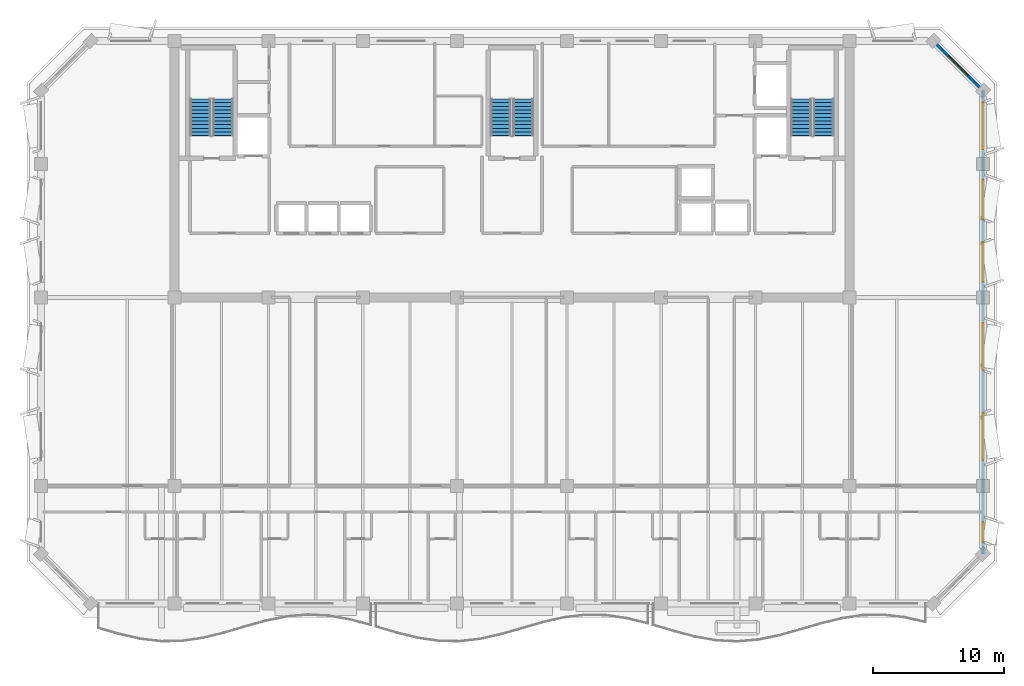
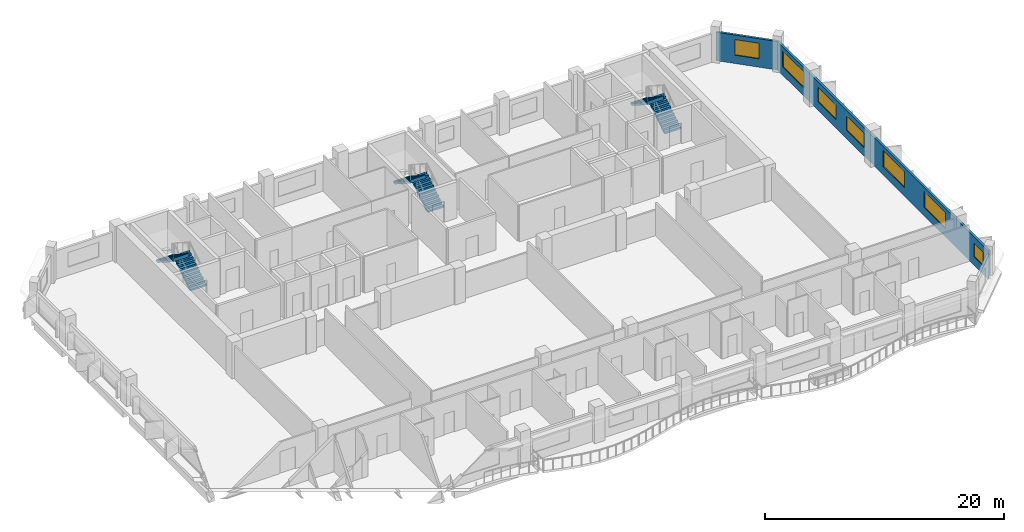
# One storey, part 8 of 11: 7 windows, 6 stair flights, 2 walls, 7 openings, 3 elements without a shape of their own.
"""IFC4 building model written with IfcOpenShell, lengths in metres."""

import ifcopenshell
import ifcopenshell.guid

model = None  # the IFC model being written
_history = None  # IfcOwnerHistory: only IFC2X3 demands one
_inside = {}  # id of a spatial element -> (the spatial element, [elements in it])
_under = {}  # id of a project, library or spatial element -> (it, [spatial elements below it])
_declared = {}  # id of a project -> (the project, [libraries it declares])
_typed = {}  # id of a type object -> (the type object, [elements of that type])
_made_of = {}  # id of a material, layer set ... -> (it, [elements and type objects made of it])


def new_model(schema):
    """Start an empty IFC model of exactly this schema.

    Asked for "IFC4X3", IfcOpenShell would pick the latest addendum, in which some entities
    have other attributes; the version numbers below select the first issue.
    IFC2X3 requires an IfcOwnerHistory on every rooted entity: one is made here for all.
    """
    global model, _history
    if schema == "IFC4X3":
        model = ifcopenshell.file(schema_version=(4, 3, 0, 0))
    else:
        model = ifcopenshell.file(schema=schema)
    _inside.clear()
    _under.clear()
    _declared.clear()
    _typed.clear()
    _made_of.clear()
    _history = None
    if model.schema == "IFC2X3":
        org = make("IfcOrganization", Name="unknown")
        user = make(
            "IfcPersonAndOrganization",
            ThePerson=make("IfcPerson", FamilyName="unknown"),
            TheOrganization=org,
        )
        app = make(
            "IfcApplication",
            ApplicationDeveloper=org,
            Version="unknown",
            ApplicationFullName="unknown",
            ApplicationIdentifier="unknown",
        )
        _history = make(
            "IfcOwnerHistory",
            OwningUser=user,
            OwningApplication=app,
            ChangeAction="ADDED",
            CreationDate=0,
        )
    return model


def make(cls, **values):
    """One entity of the class cls with the attributes given. An attribute that is None is left unset."""
    return model.create_entity(
        cls, **{name: value for name, value in values.items() if value is not None}
    )


def rooted(cls, **values):
    """An entity with a GlobalId (a new one), such as an element, a storey or a relation."""
    return make(cls, GlobalId=ifcopenshell.guid.new(), OwnerHistory=_history, **values)


def si_unit(unit_type, name, prefix=None):
    """IfcSIUnit, for example si_unit("LENGTHUNIT", "METRE", prefix="MILLI")."""
    return make("IfcSIUnit", UnitType=unit_type, Prefix=prefix, Name=name)


def assignment(units):
    """IfcUnitAssignment: the units of a project."""
    return None if units is None else make("IfcUnitAssignment", Units=units)


def point(xyz):
    """IfcCartesianPoint."""
    return None if xyz is None else make("IfcCartesianPoint", Coordinates=xyz)


def direction(xyz):
    """IfcDirection."""
    return None if xyz is None else make("IfcDirection", DirectionRatios=xyz)


def frame(location, z_axis=None, x_axis=None):
    """IfcAxis2Placement3D, a coordinate frame: its origin and axes. An axis left out is left unset."""
    return make(
        "IfcAxis2Placement3D",
        Location=point(location),
        Axis=direction(z_axis),
        RefDirection=direction(x_axis),
    )


def frame_2d(location, x_axis=None):
    """IfcAxis2Placement2D, a coordinate frame in the plane: its origin and x axis."""
    return make(
        "IfcAxis2Placement2D", Location=point(location), RefDirection=direction(x_axis)
    )


def origin():
    """The frame at (0, 0, 0) with its axes left unset."""
    return frame((0.0, 0.0, 0.0))


def place(relative_to, where):
    """IfcLocalPlacement: puts the frame where relative to a parent placement (None: the world)."""
    return make(
        "IfcLocalPlacement", PlacementRelTo=relative_to, RelativePlacement=where
    )


def context(
    kind, dimensions, precision=None, world=None, true_north=None, identifier=None
):
    """IfcGeometricRepresentationContext, for example the 3D "Model" context."""
    return make(
        "IfcGeometricRepresentationContext",
        ContextIdentifier=identifier,
        ContextType=kind,
        CoordinateSpaceDimension=dimensions,
        Precision=precision,
        WorldCoordinateSystem=world,
        TrueNorth=true_north,
    )


def subcontext(parent, identifier, kind, view, scale=None):
    """IfcGeometricRepresentationSubContext, for example "Body" below "Model"."""
    return make(
        "IfcGeometricRepresentationSubContext",
        ContextIdentifier=identifier,
        ContextType=kind,
        ParentContext=parent,
        TargetScale=scale,
        TargetView=view,
    )


def project(units=None, contexts=None):
    """IfcProject with its units and contexts."""
    return rooted(
        "IfcProject",
        Name="project",
        RepresentationContexts=contexts,
        UnitsInContext=assignment(units),
    )


def spatial(cls, under=None, at=None, **own):
    """A site, building, storey or space (cls), placed at a placement, below another one or the project."""
    s = rooted(cls, ObjectPlacement=at, **own)
    if under is not None:
        _under.setdefault(under.id(), (under, []))[1].append(s)
    return s


def polyline(points):
    """IfcPolyline through the points."""
    return make("IfcPolyline", Points=[point(p) for p in points])


def profile(cls, at=None, kind="AREA", **sizes):
    """A parametric profile (cls). Its sizes go by their IFC names, for example OverallWidth=200.0."""
    return make(cls, ProfileType=kind, Position=at, **sizes)


def rectangle(**sizes):
    """IfcRectangleProfileDef."""
    return profile("IfcRectangleProfileDef", **sizes)


def outline(outer, holes=None, kind="AREA"):
    """IfcArbitraryClosedProfileDef: a profile drawn as a closed curve; with holes, ...WithVoids."""
    if holes is None:
        return make("IfcArbitraryClosedProfileDef", ProfileType=kind, OuterCurve=outer)
    return make(
        "IfcArbitraryProfileDefWithVoids",
        ProfileType=kind,
        OuterCurve=outer,
        InnerCurves=holes,
    )


def extrude(swept, where, along, depth):
    """IfcExtrudedAreaSolid: the profile swept, set in the frame where, extruded along a direction by depth."""
    return make(
        "IfcExtrudedAreaSolid",
        SweptArea=swept,
        Position=where,
        ExtrudedDirection=direction(along),
        Depth=depth,
    )


def shape(context_of_items, identifier, shape_type, items):
    """IfcShapeRepresentation: the items that make up one representation, for example the "Body"."""
    return make(
        "IfcShapeRepresentation",
        ContextOfItems=context_of_items,
        RepresentationIdentifier=identifier,
        RepresentationType=shape_type,
        Items=items,
    )


def material(Name=None, Category=None):
    """IfcMaterial."""
    return make("IfcMaterial", Name=Name, Category=Category)


def layer(
    of_material, thickness, ventilated=None, Name=None, Category=None, Priority=None
):
    """IfcMaterialLayer: one layer of a wall or slab, of a material (None: an air gap)."""
    return make(
        "IfcMaterialLayer",
        Material=of_material,
        LayerThickness=thickness,
        IsVentilated=ventilated,
        Name=Name,
        Category=Category,
        Priority=Priority,
    )


def layer_set(layers, Name=None):
    """IfcMaterialLayerSet."""
    return make("IfcMaterialLayerSet", MaterialLayers=layers, LayerSetName=Name)


def made_of(thing, what):
    """Note that an element or type object is made of a material, layer set ...; save() writes the relation."""
    if what is not None:
        _made_of.setdefault(what.id(), (what, []))[1].append(thing)
    return thing


def type_object(cls, material=None, **own):
    """A type object (cls), such as IfcWallType, which elements share."""
    return made_of(rooted(cls, **own), material)


def element(
    cls,
    number,
    at=None,
    inside=None,
    cuts=None,
    type_object=None,
    material=None,
    context=None,
    identifier="Body",
    shape_type=None,
    held_by="IfcProductDefinitionShape",
    body=None,
    shapes=None,
    **own,
):
    """One element of the class cls, such as IfcWall. Its Tag is "e" and its number.

    at: its placement. inside: the storey or other place that contains it. cuts: it is an
    opening in that element (IfcRelVoidsElement). A single representation is given by context,
    identifier, shape_type and body (its items); several are given by shapes. held_by: the class
    of the entity that holds the representations. save() writes the other relations.
    """
    e = rooted(cls, Tag="e%d" % number, ObjectPlacement=at, **own)
    if body is not None:
        shapes = [shape(context, identifier, shape_type, body)]
    if shapes is not None:
        e.Representation = make(held_by, Representations=shapes)
    if inside is not None:
        _inside.setdefault(inside.id(), (inside, []))[1].append(e)
    if cuts is not None:
        rooted(
            "IfcRelVoidsElement", RelatingBuildingElement=cuts, RelatedOpeningElement=e
        )
    if type_object is not None:
        _typed.setdefault(type_object.id(), (type_object, []))[1].append(e)
    return made_of(e, material)


def fill(opening, filler):
    """IfcRelFillsElement: the door or window that sits in an opening."""
    return rooted(
        "IfcRelFillsElement",
        RelatingOpeningElement=opening,
        RelatedBuildingElement=filler,
    )


def aggregate(whole, parts):
    """IfcRelAggregates: a whole, such as a stair, and the parts it consists of."""
    return rooted("IfcRelAggregates", RelatingObject=whole, RelatedObjects=parts)


def save(model, path):
    """Write the relations noted so far, then the file.

    IfcRelAggregates (storeys below a building ...), IfcRelContainedInSpatialStructure (elements
    in a storey), IfcRelDefinesByType, IfcRelAssociatesMaterial and IfcRelDeclares: one each for
    every whole, place, type object, material and project.
    """
    for whole, parts in _under.values():
        aggregate(whole, parts)
    for where, things in _inside.values():
        rooted(
            "IfcRelContainedInSpatialStructure",
            RelatedElements=things,
            RelatingStructure=where,
        )
    for kind, things in _typed.values():
        rooted("IfcRelDefinesByType", RelatedObjects=things, RelatingType=kind)
    for what, things in _made_of.values():
        rooted("IfcRelAssociatesMaterial", RelatedObjects=things, RelatingMaterial=what)
    for by, libraries in _declared.values():
        rooted("IfcRelDeclares", RelatingContext=by, RelatedDefinitions=libraries)
    model.write(path)


model = new_model("IFC4")

# Units and contexts
model_context = context("Model", 3, precision=1e-05, world=origin(), true_north=direction((0.0, 1.0)))
body_context = subcontext(model_context, "Body", "Model", "MODEL_VIEW")
ifc_project = project(units=[si_unit("LENGTHUNIT", "METRE"), si_unit("AREAUNIT", "SQUARE_METRE"), si_unit("VOLUMEUNIT", "CUBIC_METRE"), si_unit("PLANEANGLEUNIT", "RADIAN"), si_unit("MASSUNIT", "GRAM", prefix="KILO")], contexts=[model_context])

# Site, building, storey
site_placement = place(None, origin())
site = spatial("IfcSite", under=ifc_project, at=site_placement, CompositionType="ELEMENT")
building_placement = place(site_placement, origin())
building = spatial("IfcBuilding", under=site, at=building_placement, Name="Kaelvorn Grand Hotel", CompositionType="ELEMENT")
storey_placement = place(building_placement, frame((0.0, 0.0, 233.10009765625)))
storey = spatial("IfcBuildingStorey", under=building, at=storey_placement, Name="L57", CompositionType="ELEMENT", Elevation=233.10009765625)

# Wall, openings, windows
ifc_material_1 = material(Name="Concrete C40/50", Category="concrete")
ifc_layer = layer(ifc_material_1, 0.219970703125)
ifc_layer_set = layer_set([ifc_layer], Name="Concrete C40/50")
wall_type = type_object("IfcWallType", Name="WL-EXT-220-C40", PredefinedType="SOLIDWALL", material=ifc_layer_set)
wall_1_placement = place(storey_placement, frame((78.0, 9.800048828125, 0.0), z_axis=(0.0, 0.0, 1.0), x_axis=(0.0, 1.0, 0.0)))
wall_1 = element("IfcWall", 1, at=wall_1_placement, inside=storey, type_object=wall_type, Name="L57 Exterior Architectural Concrete Wall 03", PredefinedType="SOLIDWALL", context=body_context, shape_type="SweptSolid", body=[
    extrude(rectangle(XDim=35.39990234375, YDim=0.219970703125, at=frame_2d((17.699951171875, 0.0))), origin(), (0.0, 0.0, 1.0), 2.909912109375),
])
opening_1_placement = place(wall_1_placement, frame((0.93505859375, 0.0, 0.85009765625)))
opening_1 = element("IfcOpeningElement", 2, at=opening_1_placement, cuts=wall_1, Name="Opening W10", PredefinedType="OPENING", context=body_context, shape_type="SweptSolid", body=[
    extrude(rectangle(XDim=1.5, YDim=1.39990234375, at=frame_2d((0.75, 0.699951171875))), frame((0.0, 0.1201171875, 0.0), z_axis=(0.0, -1.0, 0.0), x_axis=(1.0, 0.0, 0.0)), (0.0, 0.0, 1.0), 0.239990234375),
])
opening_2_placement = place(wall_1_placement, frame((7.1650390625, 0.0, 0.85009765625)))
opening_2 = element("IfcOpeningElement", 3, at=opening_2_placement, cuts=wall_1, Name="Opening W3", PredefinedType="OPENING", context=body_context, shape_type="SweptSolid", body=[
    extrude(rectangle(XDim=3.60009765625, YDim=1.64990234375, at=frame_2d((1.800048828125, 0.824951171875))), frame((0.0, 0.1201171875, 0.0), z_axis=(0.0, -1.0, 0.0), x_axis=(1.0, 0.0, 0.0)), (0.0, 0.0, 1.0), 0.239990234375),
])
opening_3_placement = place(wall_1_placement, frame((14.034912109375, 0.0, 0.85009765625)))
opening_3 = element("IfcOpeningElement", 4, at=opening_3_placement, cuts=wall_1, Name="Opening W3", PredefinedType="OPENING", context=body_context, shape_type="SweptSolid", body=[
    extrude(rectangle(XDim=3.60009765625, YDim=1.64990234375, at=frame_2d((1.800048828125, 0.824951171875))), frame((0.0, 0.1201171875, 0.0), z_axis=(0.0, -1.0, 0.0), x_axis=(1.0, 0.0, 0.0)), (0.0, 0.0, 1.0), 0.239990234375),
])
opening_4_placement = place(wall_1_placement, frame((20.81494140625, 0.0, 0.85009765625)))
opening_4 = element("IfcOpeningElement", 5, at=opening_4_placement, cuts=wall_1, Name="Opening W5", PredefinedType="OPENING", context=body_context, shape_type="SweptSolid", body=[
    extrude(rectangle(XDim=3.0, YDim=1.5, at=frame_2d((1.5, 0.75))), frame((0.0, 0.1201171875, 0.0), z_axis=(0.0, -1.0, 0.0), x_axis=(1.0, 0.0, 0.0)), (0.0, 0.0, 1.0), 0.239990234375),
])
opening_5_placement = place(wall_1_placement, frame((25.5849609375, 0.0, 0.85009765625)))
opening_5 = element("IfcOpeningElement", 6, at=opening_5_placement, cuts=wall_1, Name="Opening W5", PredefinedType="OPENING", context=body_context, shape_type="SweptSolid", body=[
    extrude(rectangle(XDim=3.0, YDim=1.5, at=frame_2d((1.5, 0.75))), frame((0.0, 0.1201171875, 0.0), z_axis=(0.0, -1.0, 0.0), x_axis=(1.0, 0.0, 0.0)), (0.0, 0.0, 1.0), 0.239990234375),
])
opening_6_placement = place(wall_1_placement, frame((30.9150390625, 0.0, 0.85009765625)))
opening_6 = element("IfcOpeningElement", 7, at=opening_6_placement, cuts=wall_1, Name="Opening W3", PredefinedType="OPENING", context=body_context, shape_type="SweptSolid", body=[
    extrude(rectangle(XDim=3.60009765625, YDim=1.64990234375, at=frame_2d((1.800048828125, 0.824951171875))), frame((0.0, 0.1201171875, 0.0), z_axis=(0.0, -1.0, 0.0), x_axis=(1.0, 0.0, 0.0)), (0.0, 0.0, 1.0), 0.239990234375),
])
ifc_material_2 = material(Name="Laminated Low-E Glass", Category="glass")
window_type_1 = type_object("IfcWindowType", Name="WIN-COR-1500x1400", PartitioningType="SINGLE_PANEL", PredefinedType="WINDOW", material=ifc_material_2)
window_1_placement = place(opening_1_placement, origin())
window_1 = element("IfcWindow", 8, at=window_1_placement, inside=storey, type_object=window_type_1, Name="L57 E Wing Tilted-Frame Ribbon Window E01", OverallHeight=1.39990234375, OverallWidth=1.5, PartitioningType="SINGLE_PANEL", PredefinedType="WINDOW", context=body_context, shape_type="SweptSolid", body=[
    extrude(rectangle(XDim=1.5, YDim=1.39990234375, at=frame_2d((0.75, 0.699951171875))), frame((0.0, 0.030029296875, 0.0), z_axis=(0.0, -1.0, 0.0), x_axis=(1.0, 0.0, 0.0)), (0.0, 0.0, 1.0), 0.06005859375),
])
fill(opening_1, window_1)
window_type_2 = type_object("IfcWindowType", Name="WIN-NTH-3000x1500", PartitioningType="SINGLE_PANEL", PredefinedType="WINDOW", material=ifc_material_2)
window_2_placement = place(opening_4_placement, origin())
window_2 = element("IfcWindow", 9, at=window_2_placement, inside=storey, type_object=window_type_2, Name="L57 E Wing Tilted-Frame Ribbon Window E04", OverallHeight=1.5, OverallWidth=3.0, PartitioningType="SINGLE_PANEL", PredefinedType="WINDOW", context=body_context, shape_type="SweptSolid", body=[
    extrude(rectangle(XDim=3.0, YDim=1.5, at=frame_2d((1.5, 0.75))), frame((0.0, 0.030029296875, 0.0), z_axis=(0.0, -1.0, 0.0), x_axis=(1.0, 0.0, 0.0)), (0.0, 0.0, 1.0), 0.06005859375),
])
fill(opening_4, window_2)
window_3_placement = place(opening_5_placement, origin())
window_3 = element("IfcWindow", 10, at=window_3_placement, inside=storey, type_object=window_type_2, Name="L57 E Wing Tilted-Frame Ribbon Window E05", OverallHeight=1.5, OverallWidth=3.0, PartitioningType="SINGLE_PANEL", PredefinedType="WINDOW", context=body_context, shape_type="SweptSolid", body=[
    extrude(rectangle(XDim=3.0, YDim=1.5, at=frame_2d((1.5, 0.75))), frame((0.0, 0.030029296875, 0.0), z_axis=(0.0, -1.0, 0.0), x_axis=(1.0, 0.0, 0.0)), (0.0, 0.0, 1.0), 0.06005859375),
])
fill(opening_5, window_3)
window_type_3 = type_object("IfcWindowType", Name="WIN-RIB-3600x1750", PartitioningType="SINGLE_PANEL", PredefinedType="WINDOW", material=ifc_material_2)
window_4_placement = place(opening_2_placement, origin())
window_4 = element("IfcWindow", 11, at=window_4_placement, inside=storey, type_object=window_type_3, Name="L57 E Wing Tilted-Frame Ribbon Window E02", OverallHeight=1.64990234375, OverallWidth=3.60009765625, PartitioningType="SINGLE_PANEL", PredefinedType="WINDOW", context=body_context, shape_type="SweptSolid", body=[
    extrude(rectangle(XDim=3.60009765625, YDim=1.64990234375, at=frame_2d((1.800048828125, 0.824951171875))), frame((0.0, 0.030029296875, 0.0), z_axis=(0.0, -1.0, 0.0), x_axis=(1.0, 0.0, 0.0)), (0.0, 0.0, 1.0), 0.06005859375),
])
fill(opening_2, window_4)
window_5_placement = place(opening_3_placement, origin())
window_5 = element("IfcWindow", 12, at=window_5_placement, inside=storey, type_object=window_type_3, Name="L57 E Wing Tilted-Frame Ribbon Window E03", OverallHeight=1.64990234375, OverallWidth=3.60009765625, PartitioningType="SINGLE_PANEL", PredefinedType="WINDOW", context=body_context, shape_type="SweptSolid", body=[
    extrude(rectangle(XDim=3.60009765625, YDim=1.64990234375, at=frame_2d((1.800048828125, 0.824951171875))), frame((0.0, 0.030029296875, 0.0), z_axis=(0.0, -1.0, 0.0), x_axis=(1.0, 0.0, 0.0)), (0.0, 0.0, 1.0), 0.06005859375),
])
fill(opening_3, window_5)
window_6_placement = place(opening_6_placement, origin())
window_6 = element("IfcWindow", 13, at=window_6_placement, inside=storey, type_object=window_type_3, Name="L57 E Wing Tilted-Frame Ribbon Window E06", OverallHeight=1.64990234375, OverallWidth=3.60009765625, PartitioningType="SINGLE_PANEL", PredefinedType="WINDOW", context=body_context, shape_type="SweptSolid", body=[
    extrude(rectangle(XDim=3.60009765625, YDim=1.64990234375, at=frame_2d((1.800048828125, 0.824951171875))), frame((0.0, 0.030029296875, 0.0), z_axis=(0.0, -1.0, 0.0), x_axis=(1.0, 0.0, 0.0)), (0.0, 0.0, 1.0), 0.06005859375),
])
fill(opening_6, window_6)

# Wall, opening, window
wall_2_placement = place(storey_placement, frame((78.0, 45.199951171875, 0.0), z_axis=(0.0, 0.0, 1.0), x_axis=(-0.707106781187, 0.707106781187, 0.0)))
wall_2 = element("IfcWall", 14, at=wall_2_placement, inside=storey, type_object=wall_type, Name="L57 Exterior Architectural Concrete Wall 04", PredefinedType="SOLIDWALL", context=body_context, shape_type="SweptSolid", body=[
    extrude(rectangle(XDim=5.3740234375, YDim=0.219970703125, at=frame_2d((2.68701171875, 0.0))), origin(), (0.0, 0.0, 1.0), 2.909912109375),
])
opening_7_placement = place(wall_2_placement, frame((1.636962890625, 0.0, 0.85009765625)))
opening_7 = element("IfcOpeningElement", 15, at=opening_7_placement, cuts=wall_2, Name="Opening W7", PredefinedType="OPENING", context=body_context, shape_type="SweptSolid", body=[
    extrude(rectangle(XDim=2.10009765625, YDim=1.60009765625, at=frame_2d((1.050048828125, 0.800048828125))), frame((0.0, 0.1201171875, 0.0), z_axis=(0.0, -1.0, 0.0), x_axis=(1.0, 0.0, 0.0)), (0.0, 0.0, 1.0), 0.239990234375),
])
window_type_4 = type_object("IfcWindowType", Name="WIN-CHM-2100x1600", PartitioningType="SINGLE_PANEL", PredefinedType="WINDOW", material=ifc_material_2)
window_7_placement = place(opening_7_placement, origin())
window_7 = element("IfcWindow", 16, at=window_7_placement, inside=storey, type_object=window_type_4, Name="L57 Chamfered 45-Degree Corner Window NE", OverallHeight=1.60009765625, OverallWidth=2.10009765625, PartitioningType="SINGLE_PANEL", PredefinedType="WINDOW", context=body_context, shape_type="SweptSolid", body=[
    extrude(rectangle(XDim=2.10009765625, YDim=1.60009765625, at=frame_2d((1.050048828125, 0.800048828125))), frame((0.0, 0.030029296875, 0.0), z_axis=(0.0, -1.0, 0.0), x_axis=(1.0, 0.0, 0.0)), (0.0, 0.0, 1.0), 0.06005859375),
])
fill(opening_7, window_7)

# Stair, stair flights
stair_type = type_object("IfcStairType", Name="STR-DOG-1560-R09", PredefinedType="HALF_TURN_STAIR", material=ifc_material_1)
stair_1_placement = place(storey_placement, origin())
stair_1 = element("IfcStair", 17, at=stair_1_placement, inside=storey, type_object=stair_type, Name="L57 West Core Exit Stair ST1", PredefinedType="HALF_TURN_STAIR")
stair_flight_type = type_object("IfcStairFlightType", Name="FLG-DOG-1560-R09", PredefinedType="STRAIGHT", material=ifc_material_1)
stair_flight_1_placement = place(storey_placement, frame((19.89990234375, 41.760009765625, 0.0), z_axis=(0.0, 0.0, 1.0), x_axis=(0.0, 1.0, 0.0)))
stair_flight_1 = element("IfcStairFlight", 18, at=stair_flight_1_placement, type_object=stair_flight_type, Name="ST1 flight 1", NumberOfRisers=11, NumberOfTreads=10, PredefinedType="STRAIGHT", RiserHeight=0.179545455, TreadLength=0.28, context=body_context, shape_type="SweptSolid", body=[
    extrude(outline(polyline([(-0.0048828125, 0.0), (-0.0048828125, 0.0400390625), (0.0, 0.179443359375), (0.280029296875, 0.179443359375), (0.280029296875, 0.359130859375), (0.56005859375, 0.359130859375), (0.56005859375, 0.53857421875), (0.840087890625, 0.53857421875), (0.840087890625, 0.71826171875), (1.1201171875, 0.71826171875), (1.1201171875, 0.897705078125), (1.39990234375, 0.897705078125), (1.39990234375, 1.077392578125), (1.679931640625, 1.077392578125), (1.679931640625, 1.2568359375), (1.9599609375, 1.2568359375), (1.9599609375, 1.436279296875), (2.239990234375, 1.436279296875), (2.239990234375, 1.615966796875), (2.52001953125, 1.615966796875), (2.52001953125, 1.79541015625), (2.800048828125, 1.79541015625), (2.800048828125, 1.97509765625), (2.804931640625, 1.97509765625), (2.804931640625, 1.617431640625), (0.277587890625, 0.0), (-0.0048828125, 0.0)])), frame((0.0, 0.780029296875, 0.0), z_axis=(0.0, -1.0, 0.0), x_axis=(1.0, 0.0, 0.0)), (0.0, 0.0, 1.0), 1.56005859375),
])
stair_flight_2_placement = place(storey_placement, frame((18.179931640625, 44.56005859375, 1.974853515625), z_axis=(0.0, 0.0, 1.0), x_axis=(0.0, -1.0, 0.0)))
stair_flight_2 = element("IfcStairFlight", 19, at=stair_flight_2_placement, type_object=stair_flight_type, Name="ST1 flight 2", NumberOfRisers=11, NumberOfTreads=10, PredefinedType="STRAIGHT", RiserHeight=0.179545455, TreadLength=0.28, context=body_context, shape_type="SweptSolid", body=[
    extrude(outline(polyline([(-0.0048828125, 0.0), (-0.0048828125, 0.0400390625), (0.0, 0.179443359375), (0.280029296875, 0.179443359375), (0.280029296875, 0.359130859375), (0.56005859375, 0.359130859375), (0.56005859375, 0.53857421875), (0.840087890625, 0.53857421875), (0.840087890625, 0.71826171875), (1.1201171875, 0.71826171875), (1.1201171875, 0.897705078125), (1.39990234375, 0.897705078125), (1.39990234375, 1.077392578125), (1.679931640625, 1.077392578125), (1.679931640625, 1.2568359375), (1.9599609375, 1.2568359375), (1.9599609375, 1.436279296875), (2.239990234375, 1.436279296875), (2.239990234375, 1.615966796875), (2.52001953125, 1.615966796875), (2.52001953125, 1.79541015625), (2.800048828125, 1.79541015625), (2.800048828125, 1.97509765625), (2.804931640625, 1.97509765625), (2.804931640625, 1.617431640625), (0.277587890625, 0.0), (-0.0048828125, 0.0)])), frame((0.0, 0.780029296875, 0.0), z_axis=(0.0, -1.0, 0.0), x_axis=(1.0, 0.0, 0.0)), (0.0, 0.0, 1.0), 1.56005859375),
])
aggregate(stair_1, [stair_flight_1, stair_flight_2])

stair_2_placement = place(storey_placement, origin())
stair_2 = element("IfcStair", 20, at=stair_2_placement, inside=storey, type_object=stair_type, Name="L57 Central Core Exit Stair ST2", PredefinedType="HALF_TURN_STAIR")
stair_flight_3_placement = place(storey_placement, frame((42.860107421875, 41.760009765625, 0.0), z_axis=(0.0, 0.0, 1.0), x_axis=(0.0, 1.0, 0.0)))
stair_flight_3 = element("IfcStairFlight", 21, at=stair_flight_3_placement, type_object=stair_flight_type, Name="ST2 flight 1", NumberOfRisers=11, NumberOfTreads=10, PredefinedType="STRAIGHT", RiserHeight=0.179545455, TreadLength=0.28, context=body_context, shape_type="SweptSolid", body=[
    extrude(outline(polyline([(-0.0048828125, 0.0), (-0.0048828125, 0.0400390625), (0.0, 0.179443359375), (0.280029296875, 0.179443359375), (0.280029296875, 0.359130859375), (0.56005859375, 0.359130859375), (0.56005859375, 0.53857421875), (0.840087890625, 0.53857421875), (0.840087890625, 0.71826171875), (1.1201171875, 0.71826171875), (1.1201171875, 0.897705078125), (1.39990234375, 0.897705078125), (1.39990234375, 1.077392578125), (1.679931640625, 1.077392578125), (1.679931640625, 1.2568359375), (1.9599609375, 1.2568359375), (1.9599609375, 1.436279296875), (2.239990234375, 1.436279296875), (2.239990234375, 1.615966796875), (2.52001953125, 1.615966796875), (2.52001953125, 1.79541015625), (2.800048828125, 1.79541015625), (2.800048828125, 1.97509765625), (2.804931640625, 1.97509765625), (2.804931640625, 1.617431640625), (0.277587890625, 0.0), (-0.0048828125, 0.0)])), frame((0.0, 0.780029296875, 0.0), z_axis=(0.0, -1.0, 0.0), x_axis=(1.0, 0.0, 0.0)), (0.0, 0.0, 1.0), 1.56005859375),
])
stair_flight_4_placement = place(storey_placement, frame((41.139892578125, 44.56005859375, 1.974853515625), z_axis=(0.0, 0.0, 1.0), x_axis=(0.0, -1.0, 0.0)))
stair_flight_4 = element("IfcStairFlight", 22, at=stair_flight_4_placement, type_object=stair_flight_type, Name="ST2 flight 2", NumberOfRisers=11, NumberOfTreads=10, PredefinedType="STRAIGHT", RiserHeight=0.179545455, TreadLength=0.28, context=body_context, shape_type="SweptSolid", body=[
    extrude(outline(polyline([(-0.0048828125, 0.0), (-0.0048828125, 0.0400390625), (0.0, 0.179443359375), (0.280029296875, 0.179443359375), (0.280029296875, 0.359130859375), (0.56005859375, 0.359130859375), (0.56005859375, 0.53857421875), (0.840087890625, 0.53857421875), (0.840087890625, 0.71826171875), (1.1201171875, 0.71826171875), (1.1201171875, 0.897705078125), (1.39990234375, 0.897705078125), (1.39990234375, 1.077392578125), (1.679931640625, 1.077392578125), (1.679931640625, 1.2568359375), (1.9599609375, 1.2568359375), (1.9599609375, 1.436279296875), (2.239990234375, 1.436279296875), (2.239990234375, 1.615966796875), (2.52001953125, 1.615966796875), (2.52001953125, 1.79541015625), (2.800048828125, 1.79541015625), (2.800048828125, 1.97509765625), (2.804931640625, 1.97509765625), (2.804931640625, 1.617431640625), (0.277587890625, 0.0), (-0.0048828125, 0.0)])), frame((0.0, 0.780029296875, 0.0), z_axis=(0.0, -1.0, 0.0), x_axis=(1.0, 0.0, 0.0)), (0.0, 0.0, 1.0), 1.56005859375),
])
aggregate(stair_2, [stair_flight_3, stair_flight_4])

stair_3_placement = place(storey_placement, origin())
stair_3 = element("IfcStair", 23, at=stair_3_placement, inside=storey, type_object=stair_type, Name="L57 East Core Exit Stair ST3", PredefinedType="HALF_TURN_STAIR")
stair_flight_5_placement = place(storey_placement, frame((65.820068359375, 41.760009765625, 0.0), z_axis=(0.0, 0.0, 1.0), x_axis=(0.0, 1.0, 0.0)))
stair_flight_5 = element("IfcStairFlight", 24, at=stair_flight_5_placement, type_object=stair_flight_type, Name="ST3 flight 1", NumberOfRisers=11, NumberOfTreads=10, PredefinedType="STRAIGHT", RiserHeight=0.179545455, TreadLength=0.28, context=body_context, shape_type="SweptSolid", body=[
    extrude(outline(polyline([(-0.0048828125, 0.0), (-0.0048828125, 0.0400390625), (0.0, 0.179443359375), (0.280029296875, 0.179443359375), (0.280029296875, 0.359130859375), (0.56005859375, 0.359130859375), (0.56005859375, 0.53857421875), (0.840087890625, 0.53857421875), (0.840087890625, 0.71826171875), (1.1201171875, 0.71826171875), (1.1201171875, 0.897705078125), (1.39990234375, 0.897705078125), (1.39990234375, 1.077392578125), (1.679931640625, 1.077392578125), (1.679931640625, 1.2568359375), (1.9599609375, 1.2568359375), (1.9599609375, 1.436279296875), (2.239990234375, 1.436279296875), (2.239990234375, 1.615966796875), (2.52001953125, 1.615966796875), (2.52001953125, 1.79541015625), (2.800048828125, 1.79541015625), (2.800048828125, 1.97509765625), (2.804931640625, 1.97509765625), (2.804931640625, 1.617431640625), (0.277587890625, 0.0), (-0.0048828125, 0.0)])), frame((0.0, 0.780029296875, 0.0), z_axis=(0.0, -1.0, 0.0), x_axis=(1.0, 0.0, 0.0)), (0.0, 0.0, 1.0), 1.56005859375),
])
stair_flight_6_placement = place(storey_placement, frame((64.10009765625, 44.56005859375, 1.974853515625), z_axis=(0.0, 0.0, 1.0), x_axis=(0.0, -1.0, 0.0)))
stair_flight_6 = element("IfcStairFlight", 25, at=stair_flight_6_placement, type_object=stair_flight_type, Name="ST3 flight 2", NumberOfRisers=11, NumberOfTreads=10, PredefinedType="STRAIGHT", RiserHeight=0.179545455, TreadLength=0.28, context=body_context, shape_type="SweptSolid", body=[
    extrude(outline(polyline([(-0.0048828125, 0.0), (-0.0048828125, 0.0400390625), (0.0, 0.179443359375), (0.280029296875, 0.179443359375), (0.280029296875, 0.359130859375), (0.56005859375, 0.359130859375), (0.56005859375, 0.53857421875), (0.840087890625, 0.53857421875), (0.840087890625, 0.71826171875), (1.1201171875, 0.71826171875), (1.1201171875, 0.897705078125), (1.39990234375, 0.897705078125), (1.39990234375, 1.077392578125), (1.679931640625, 1.077392578125), (1.679931640625, 1.2568359375), (1.9599609375, 1.2568359375), (1.9599609375, 1.436279296875), (2.239990234375, 1.436279296875), (2.239990234375, 1.615966796875), (2.52001953125, 1.615966796875), (2.52001953125, 1.79541015625), (2.800048828125, 1.79541015625), (2.800048828125, 1.97509765625), (2.804931640625, 1.97509765625), (2.804931640625, 1.617431640625), (0.277587890625, 0.0), (-0.0048828125, 0.0)])), frame((0.0, 0.780029296875, 0.0), z_axis=(0.0, -1.0, 0.0), x_axis=(1.0, 0.0, 0.0)), (0.0, 0.0, 1.0), 1.56005859375),
])
aggregate(stair_3, [stair_flight_5, stair_flight_6])

save(model, "model.ifc")
